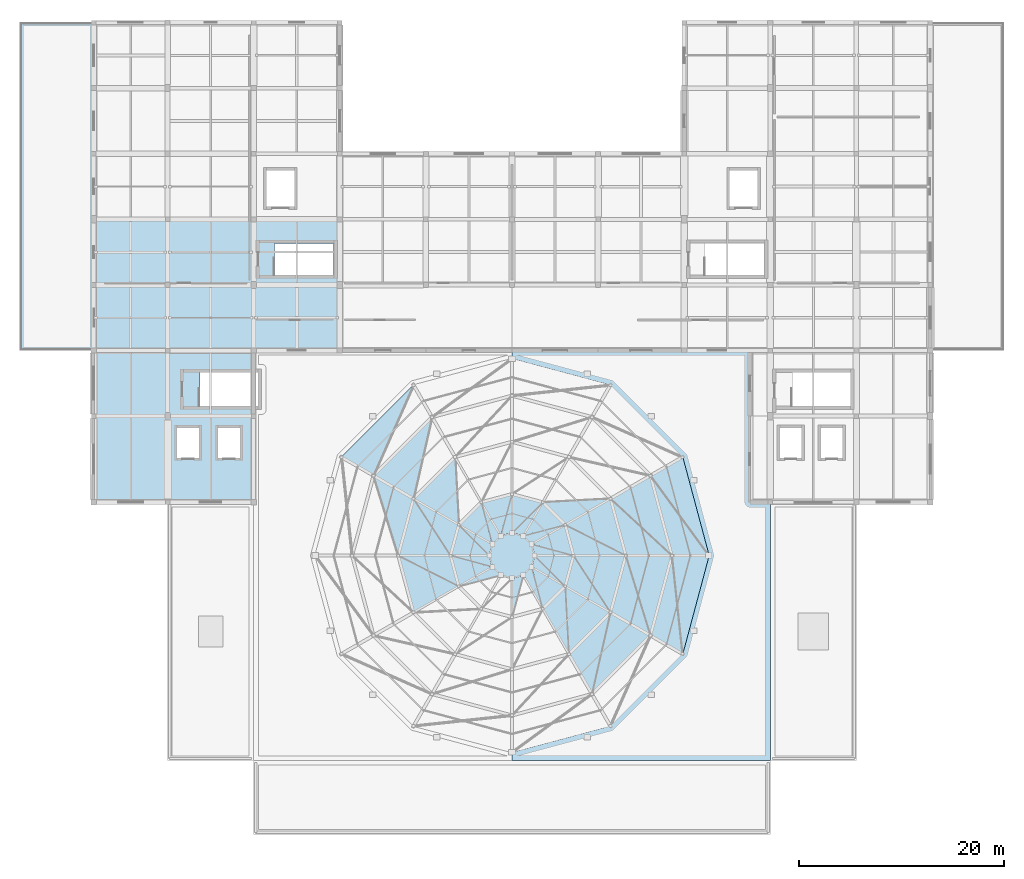
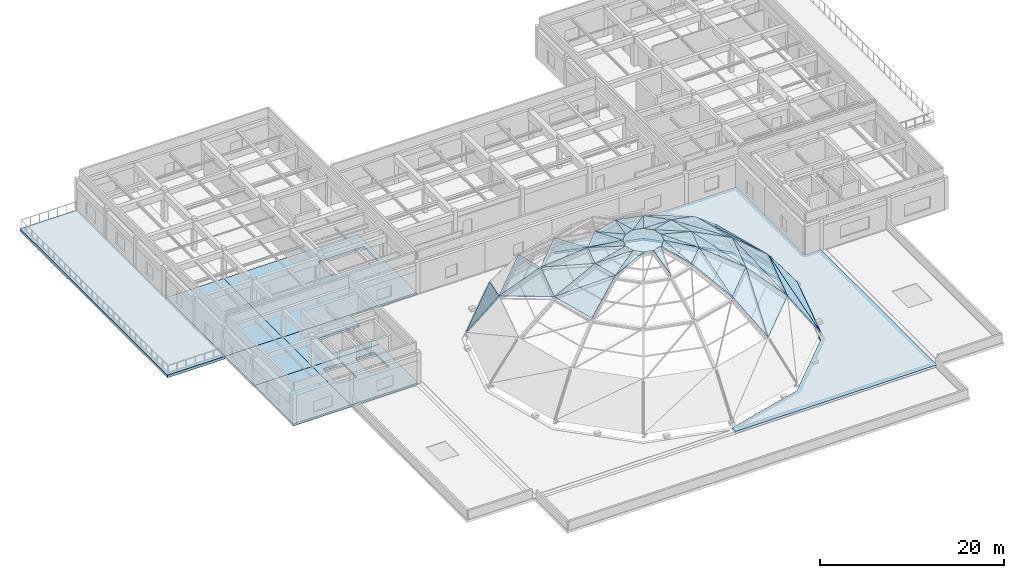
# One storey, part 9 of 18: 54 slabs.
"""IFC4 building model written with IfcOpenShell, lengths in metres."""

from ifc_helpers import new_model, si_unit, direction, frame, origin, place, context, subcontext, project, spatial, polyline, outline, extrude, material, layer, layer_set, type_object, element, save


model = new_model("IFC4")

# Units and contexts
model_context = context("Model", 3, precision=1e-05, world=origin(), true_north=direction((0.0, 1.0)))
body_context = subcontext(model_context, "Body", "Model", "MODEL_VIEW")
ifc_project = project(units=[si_unit("LENGTHUNIT", "METRE"), si_unit("AREAUNIT", "SQUARE_METRE"), si_unit("VOLUMEUNIT", "CUBIC_METRE"), si_unit("PLANEANGLEUNIT", "RADIAN"), si_unit("MASSUNIT", "GRAM", prefix="KILO")], contexts=[model_context])

# Site, building, storey
site_placement = place(None, origin())
site = spatial("IfcSite", under=ifc_project, at=site_placement, CompositionType="ELEMENT")
building_placement = place(site_placement, origin())
building = spatial("IfcBuilding", under=site, at=building_placement, Name="Korsvaeld Concert Hall", CompositionType="ELEMENT")
storey_placement = place(building_placement, frame((0.0, 0.0, 17.39990234375)))
storey = spatial("IfcBuildingStorey", under=building, at=storey_placement, Name="L04", CompositionType="ELEMENT", Elevation=17.39990234375)

# Slabs
ifc_material_1 = material(Name="Precast concrete C40/50", Category="concrete")
ifc_layer_1 = layer(ifc_material_1, 0.159912109375)
ifc_layer_set_1 = layer_set([ifc_layer_1], Name="Precast concrete C40/50")
slab_type_1 = type_object("IfcSlabType", Name="SLB-DOME-160", PredefinedType="ROOF", material=ifc_layer_set_1)
slab_1_placement = place(storey_placement, frame((103.239990234375, 63.199951171875, 0.989990234375), z_axis=(0.785013471656, 0.210338347217, 0.582676264325), x_axis=(-0.258812870324, 0.965927480795, 0.0)))
element("IfcSlab", 1, at=slab_1_placement, inside=storey, type_object=slab_type_1, Name="Main Hall dome copper roof facet T1.B01A", PredefinedType="ROOF", context=body_context, shape_type="SweptSolid", body=[
    extrude(outline(polyline([(0.0, 0.0), (9.959461117705175, 0.0), (9.02763910553035, 5.96784995399643), (0.0, 0.0)])), origin(), (0.0, 0.0, -1.0), 0.159912109375),
])
slab_2_placement = place(storey_placement, frame((103.239990234375, 63.199951171875, 0.989990234375), z_axis=(0.785007002959, 0.210325312959, 0.582689684166), x_axis=(-0.526276620104, 0.722615158546, 0.448174354209)))
element("IfcSlab", 2, at=slab_2_placement, inside=storey, type_object=slab_type_1, Name="Main Hall dome copper roof facet T1.B01B", PredefinedType="ROOF", context=body_context, shape_type="SweptSolid", body=[
    extrude(outline(polyline([(0.0, 0.0), (10.821899135231119, 1.3322676295501878e-15), (4.068336611518678, 4.464615059002871), (0.0, 0.0)])), origin(), (0.0, 0.0, -1.0), 0.159912109375),
])
slab_3_placement = place(storey_placement, frame((99.639892578125, 63.199951171875, 5.840087890625), z_axis=(0.635752447803, 0.170335846744, 0.752864213804), x_axis=(-0.25879989614, 0.965930957035, 0.0)))
element("IfcSlab", 3, at=slab_3_placement, inside=storey, type_object=slab_type_1, Name="Main Hall dome copper roof facet T2.B01A", PredefinedType="ROOF", context=body_context, shape_type="SweptSolid", body=[
    extrude(outline(polyline([(0.0, 0.0), (8.095887498401169, -2.220446049250313e-16), (6.931142147340937, 5.773607028986506), (0.0, 0.0)])), origin(), (0.0, 0.0, -1.0), 0.159912109375),
])
slab_4_placement = place(storey_placement, frame((99.639892578125, 63.199951171875, 5.840087890625), z_axis=(0.635756150019, 0.170343078898, 0.752859451149), x_axis=(-0.664288705232, 0.617467786101, 0.421252951596)))
element("IfcSlab", 4, at=slab_4_placement, inside=storey, type_object=slab_type_1, Name="Main Hall dome copper roof facet T2.B01B", PredefinedType="ROOF", context=body_context, shape_type="SweptSolid", body=[
    extrude(outline(polyline([(0.0, 0.0), (9.020824219094857, -2.220446049250313e-16), (4.590080958600185, 3.690735413116225), (0.0, 0.0)])), origin(), (0.0, 0.0, -1.0), 0.159912109375),
])
slab_5_placement = place(storey_placement, frame((95.139892578125, 63.199951171875, 9.64013671875), z_axis=(0.450841185144, 0.120797377374, 0.884392570863), x_axis=(-0.258808742132, 0.965928586903, 0.0)))
element("IfcSlab", 5, at=slab_5_placement, inside=storey, type_object=slab_type_1, Name="Main Hall dome copper roof facet T3.B01A", PredefinedType="ROOF", context=body_context, shape_type="SweptSolid", body=[
    extrude(outline(polyline([(0.0, 0.0), (5.7665426149512795, -2.220446049250313e-16), (4.446470560192042, 5.57019392915069), (0.0, 0.0)])), origin(), (0.0, 0.0, -1.0), 0.159912109375),
])
slab_6_placement = place(storey_placement, frame((95.139892578125, 63.199951171875, 9.64013671875), z_axis=(0.450850270035, 0.120822040838, 0.884384570454), x_axis=(-0.829092911042, 0.423726628226, 0.364774847533)))
element("IfcSlab", 6, at=slab_6_placement, inside=storey, type_object=slab_type_1, Name="Main Hall dome copper roof facet T3.B01B", PredefinedType="ROOF", context=body_context, shape_type="SweptSolid", body=[
    extrude(outline(polyline([(0.0, 0.0), (7.127282851900979, -4.440892098500626e-16), (5.176613566925264, 2.4434435050284353), (0.0, 0.0)])), origin(), (0.0, 0.0, -1.0), 0.159912109375),
])
slab_7_placement = place(storey_placement, frame((90.0400390625, 63.199951171875, 12.239990234375), z_axis=(0.246846701013, 0.066151723028, 0.966794008949), x_axis=(-0.258853176608, 0.965916680133, 0.0)))
element("IfcSlab", 7, at=slab_7_placement, inside=storey, type_object=slab_type_1, Name="Main Hall dome copper roof facet T4.B01A", PredefinedType="ROOF", context=body_context, shape_type="SweptSolid", body=[
    extrude(outline(polyline([(0.0, 0.0), (3.1265838900648917, -1.1102230246251565e-16), (2.1432631778340707, 3.7964724545415964), (0.0, 0.0)])), origin(), (0.0, 0.0, -1.0), 0.159912109375),
])
slab_8_placement = place(storey_placement, frame((90.0400390625, 63.199951171875, 12.239990234375), z_axis=(0.246839384629, 0.066121535246, 0.966797942061), x_axis=(-0.940459126358, 0.256926668556, 0.22254284674)))
element("IfcSlab", 8, at=slab_8_placement, inside=storey, type_object=slab_type_1, Name="Main Hall dome copper roof facet T4.B01B", PredefinedType="ROOF", context=body_context, shape_type="SweptSolid", body=[
    extrude(outline(polyline([(0.0, 0.0), (4.359676610432533, -2.0816681711721685e-16), (3.7897049742927016, 1.0098634298696931), (0.0, 0.0)])), origin(), (0.0, 0.0, -1.0), 0.159912109375),
])
slab_9_placement = place(storey_placement, frame((93.6474609375, 68.77001953125, 9.64013671875), z_axis=(0.330050480012, 0.330014034509, 0.884396640468), x_axis=(-0.929877947245, -0.04757977119, 0.36477824579)))
element("IfcSlab", 9, at=slab_9_placement, inside=storey, type_object=slab_type_1, Name="Main Hall dome copper roof facet T3.B02B", PredefinedType="ROOF", context=body_context, shape_type="SweptSolid", body=[
    extrude(outline(polyline([(0.0, 0.0), (7.127216454468558, 0.0), (5.1767373518307265, 2.44357136754057), (0.0, 0.0)])), origin(), (0.0, 0.0, -1.0), 0.159912109375),
])
slab_10_placement = place(storey_placement, frame((89.230712890625, 66.219970703125, 12.239990234375), z_axis=(0.180712694845, 0.180692739821, 0.966795250142), x_axis=(-0.707067737163, 0.707145823054, 0.0)))
element("IfcSlab", 10, at=slab_10_placement, inside=storey, type_object=slab_type_1, Name="Main Hall dome copper roof facet T4.B02A", PredefinedType="ROOF", context=body_context, shape_type="SweptSolid", body=[
    extrude(outline(polyline([(0.0, 0.0), (3.126565169333749, -2.220446049250313e-16), (2.1426968675369826, 3.7965422120046646), (0.0, 0.0)])), origin(), (0.0, 0.0, -1.0), 0.159912109375),
])
slab_11_placement = place(storey_placement, frame((89.230712890625, 66.219970703125, 12.239990234375), z_axis=(0.180708162164, 0.180708162164, 0.966793214837), x_axis=(-0.942914182277, -0.247755083589, 0.22255395619)))
element("IfcSlab", 11, at=slab_11_placement, inside=storey, type_object=slab_type_1, Name="Main Hall dome copper roof facet T4.B02B", PredefinedType="ROOF", context=body_context, shape_type="SweptSolid", body=[
    extrude(outline(polyline([(0.0, 0.0), (4.359458984058236, 1.3877787807814457e-17), (3.7895507190694353, 1.009667305995173), (0.0, 0.0)])), origin(), (0.0, 0.0, -1.0), 0.159912109375),
])
slab_12_placement = place(storey_placement, frame((87.02001953125, 68.430908203125, 12.239990234375), z_axis=(0.066129771478, 0.246839249603, 0.966797413205), x_axis=(-0.965936201526, 0.258780321088, 0.0)))
element("IfcSlab", 12, at=slab_12_placement, inside=storey, type_object=slab_type_1, Name="Main Hall dome copper roof facet T4.B03A", PredefinedType="ROOF", context=body_context, shape_type="SweptSolid", body=[
    extrude(outline(polyline([(0.0, 0.0), (3.126520702381978, -2.220446049250313e-16), (2.143142846490548, 3.796663789659206), (0.0, 0.0)])), origin(), (0.0, 0.0, -1.0), 0.159912109375),
])
slab_13_placement = place(storey_placement, frame((87.02001953125, 68.430908203125, 12.239990234375), z_axis=(0.066123181371, 0.246845529805, 0.966796260492), x_axis=(-0.692699335192, -0.686035533988, 0.222537361201)))
element("IfcSlab", 13, at=slab_13_placement, inside=storey, type_object=slab_type_1, Name="Main Hall dome copper roof facet T4.B03B", PredefinedType="ROOF", context=body_context, shape_type="SweptSolid", body=[
    extrude(outline(polyline([(0.0, 0.0), (4.359784076324538, 1.249000902703301e-16), (3.789723803231628, 1.0098133976301429), (0.0, 0.0)])), origin(), (0.0, 0.0, -1.0), 0.159912109375),
])
slab_14_placement = place(storey_placement, frame((84.0, 69.239990234375, 12.239990234375), z_axis=(-0.066130382088, 0.246841528794, 0.966796789521), x_axis=(-0.965936201526, -0.258780321088, 0.0)))
element("IfcSlab", 14, at=slab_14_placement, inside=storey, type_object=slab_type_1, Name="Main Hall dome copper roof facet T4.B04A", PredefinedType="ROOF", context=body_context, shape_type="SweptSolid", body=[
    extrude(outline(polyline([(0.0, 0.0), (3.126520702381978, 1.1102230246251565e-16), (2.1429863293329188, 3.7966287334745705), (0.0, 0.0)])), origin(), (0.0, 0.0, -1.0), 0.159912109375),
])
slab_15_placement = place(storey_placement, frame((84.0, 69.239990234375, 12.239990234375), z_axis=(-0.066121535246, 0.246839384629, 0.966797942061), x_axis=(-0.256926668556, -0.940459126358, 0.22254284674)))
element("IfcSlab", 15, at=slab_15_placement, inside=storey, type_object=slab_type_1, Name="Main Hall dome copper roof facet T4.B04B", PredefinedType="ROOF", context=body_context, shape_type="SweptSolid", body=[
    extrude(outline(polyline([(0.0, 0.0), (4.359676610432533, -2.0816681711721685e-16), (3.7897049742927016, 1.0098634298696931), (0.0, 0.0)])), origin(), (0.0, 0.0, -1.0), 0.159912109375),
])
slab_16_placement = place(storey_placement, frame((74.3798828125, 79.8623046875, 0.989990234375), z_axis=(-0.574666971576, 0.574666971576, 0.58267979505), x_axis=(-0.707106781187, -0.707106781187, 0.0)))
element("IfcSlab", 16, at=slab_16_placement, inside=storey, type_object=slab_type_1, Name="Main Hall dome copper roof facet T1.B05A", PredefinedType="ROOF", context=body_context, shape_type="SweptSolid", body=[
    extrude(outline(polyline([(0.0, 0.0), (9.95922612467088, 0.0), (9.027523171042024, 5.96786854261955), (0.0, 0.0)])), origin(), (0.0, 0.0, -1.0), 0.159912109375),
])
slab_17_placement = place(storey_placement, frame((76.179931640625, 76.74462890625, 5.840087890625), z_axis=(-0.465400829153, 0.465400829153, 0.752863956135), x_axis=(-0.707106781187, -0.707106781187, 0.0)))
element("IfcSlab", 17, at=slab_17_placement, inside=storey, type_object=slab_type_1, Name="Main Hall dome copper roof facet T2.B05A", PredefinedType="ROOF", context=body_context, shape_type="SweptSolid", body=[
    extrude(outline(polyline([(0.0, 0.0), (8.095820217413168, 0.0), (6.931062050258471, 5.773604443501931), (0.0, 0.0)])), origin(), (0.0, 0.0, -1.0), 0.159912109375),
])
slab_18_placement = place(storey_placement, frame((78.429931640625, 72.847412109375, 9.64013671875), z_axis=(-0.330036076349, 0.330036076349, 0.884393790467), x_axis=(-0.707106781187, -0.707106781187, 0.0)))
element("IfcSlab", 18, at=slab_18_placement, inside=storey, type_object=slab_type_1, Name="Main Hall dome copper roof facet T3.B05A", PredefinedType="ROOF", context=body_context, shape_type="SweptSolid", body=[
    extrude(outline(polyline([(0.0, 0.0), (5.766303883103775, 0.0), (4.446348207090019, 5.570221508294132), (0.0, 0.0)])), origin(), (0.0, 0.0, -1.0), 0.159912109375),
])
slab_19_placement = place(storey_placement, frame((80.97998046875, 68.430908203125, 12.239990234375), z_axis=(-0.18071564086, 0.180695685511, 0.96679414892), x_axis=(-0.707067737163, -0.707145823054, 0.0)))
element("IfcSlab", 19, at=slab_19_placement, inside=storey, type_object=slab_type_1, Name="Main Hall dome copper roof facet T4.B05A", PredefinedType="ROOF", context=body_context, shape_type="SweptSolid", body=[
    extrude(outline(polyline([(0.0, 0.0), (3.126565169333749, 0.0), (2.1432748289476002, 3.7964803209945024), (0.0, 0.0)])), origin(), (0.0, 0.0, -1.0), 0.159912109375),
])
slab_20_placement = place(storey_placement, frame((80.97998046875, 68.430908203125, 12.239990234375), z_axis=(-0.180700218098, 0.180700218098, 0.966796184497), x_axis=(0.247742001392, -0.942920393183, 0.222542204686)))
element("IfcSlab", 20, at=slab_20_placement, inside=storey, type_object=slab_type_1, Name="Main Hall dome copper roof facet T4.B05B", PredefinedType="ROOF", context=body_context, shape_type="SweptSolid", body=[
    extrude(outline(polyline([(0.0, 0.0), (4.3596891884742055, -5.551115123125783e-17), (3.7897651065326645, 1.0096583779284887), (0.0, 0.0)])), origin(), (0.0, 0.0, -1.0), 0.159912109375),
])
slab_21_placement = place(storey_placement, frame((70.455322265625, 71.02001953125, 5.840087890625), z_axis=(-0.635750003578, 0.170341432035, 0.752865014118), x_axis=(0.266578974807, -0.866882349445, 0.421248907905)))
element("IfcSlab", 21, at=slab_21_placement, inside=storey, type_object=slab_type_1, Name="Main Hall dome copper roof facet T2.B06B", PredefinedType="ROOF", context=body_context, shape_type="SweptSolid", body=[
    extrude(outline(polyline([(0.0, 0.0), (9.020910812614908, -2.220446049250313e-16), (4.590167763396638, 3.690735666754412), (0.0, 0.0)])), origin(), (0.0, 0.0, -1.0), 0.159912109375),
])
slab_22_placement = place(storey_placement, frame((74.3525390625, 68.77001953125, 9.64013671875), z_axis=(-0.450851480816, 0.120800135973, 0.884386945513), x_axis=(-0.258808742132, -0.965928586903, 0.0)))
element("IfcSlab", 22, at=slab_22_placement, inside=storey, type_object=slab_type_1, Name="Main Hall dome copper roof facet T3.B06A", PredefinedType="ROOF", context=body_context, shape_type="SweptSolid", body=[
    extrude(outline(polyline([(0.0, 0.0), (5.7665426149512795, 0.0), (4.446655941515901, 5.5700667278613505), (0.0, 0.0)])), origin(), (0.0, 0.0, -1.0), 0.159912109375),
])
slab_23_placement = place(storey_placement, frame((74.3525390625, 68.77001953125, 9.64013671875), z_axis=(-0.450831281356, 0.120816952118, 0.884394945617), x_axis=(0.506141502694, -0.781511801839, 0.36477401612)))
element("IfcSlab", 23, at=slab_23_placement, inside=storey, type_object=slab_type_1, Name="Main Hall dome copper roof facet T3.B06B", PredefinedType="ROOF", context=body_context, shape_type="SweptSolid", body=[
    extrude(outline(polyline([(0.0, 0.0), (7.127299096786012, 1.1102230246251565e-16), (5.176751756132481, 2.443540851609147), (0.0, 0.0)])), origin(), (0.0, 0.0, -1.0), 0.159912109375),
])
slab_24_placement = place(storey_placement, frame((78.769287109375, 66.219970703125, 12.239990234375), z_axis=(-0.246838923826, 0.066149638843, 0.966796137231), x_axis=(-0.258853176608, -0.965916680133, 0.0)))
element("IfcSlab", 24, at=slab_24_placement, inside=storey, type_object=slab_type_1, Name="Main Hall dome copper roof facet T4.B06A", PredefinedType="ROOF", context=body_context, shape_type="SweptSolid", body=[
    extrude(outline(polyline([(0.0, 0.0), (3.1265838900648917, 0.0), (2.142929179638857, 3.7965920705052976), (0.0, 0.0)])), origin(), (0.0, 0.0, -1.0), 0.159912109375),
])
slab_25_placement = place(storey_placement, frame((78.769287109375, 66.219970703125, 12.239990234375), z_axis=(-0.246860354398, 0.066127152475, 0.966792203698), x_axis=(0.686005889271, -0.692725946961, 0.222545910527)))
element("IfcSlab", 25, at=slab_25_placement, inside=storey, type_object=slab_type_1, Name="Main Hall dome copper roof facet T4.B06B", PredefinedType="ROOF", context=body_context, shape_type="SweptSolid", body=[
    extrude(outline(polyline([(0.0, 0.0), (4.359616590799169, -2.636779683484747e-16), (3.7895176145429756, 1.00979154792647), (0.0, 0.0)])), origin(), (0.0, 0.0, -1.0), 0.159912109375),
])
slab_26_placement = place(storey_placement, frame((72.860107421875, 63.199951171875, 9.64013671875), z_axis=(-0.450841185144, -0.120797377374, 0.884392570863), x_axis=(0.258808742132, -0.965928586903, 0.0)))
element("IfcSlab", 26, at=slab_26_placement, inside=storey, type_object=slab_type_1, Name="Main Hall dome copper roof facet T3.B07A", PredefinedType="ROOF", context=body_context, shape_type="SweptSolid", body=[
    extrude(outline(polyline([(0.0, 0.0), (5.7665426149512795, -2.220446049250313e-16), (4.446470560192042, 5.57019392915069), (0.0, 0.0)])), origin(), (0.0, 0.0, -1.0), 0.159912109375),
])
slab_27_placement = place(storey_placement, frame((72.860107421875, 63.199951171875, 9.64013671875), z_axis=(-0.450850270035, -0.120822040838, 0.884384570454), x_axis=(0.829092911042, -0.423726628226, 0.364774847533)))
element("IfcSlab", 27, at=slab_27_placement, inside=storey, type_object=slab_type_1, Name="Main Hall dome copper roof facet T3.B07B", PredefinedType="ROOF", context=body_context, shape_type="SweptSolid", body=[
    extrude(outline(polyline([(0.0, 0.0), (7.127282851900979, -4.440892098500626e-16), (5.176613566925264, 2.4434435050284353), (0.0, 0.0)])), origin(), (0.0, 0.0, -1.0), 0.159912109375),
])
slab_28_placement = place(storey_placement, frame((77.9599609375, 63.199951171875, 12.239990234375), z_axis=(-0.246842728477, -0.06615065844, 0.96679509607), x_axis=(0.258853176608, -0.965916680133, 0.0)))
element("IfcSlab", 28, at=slab_28_placement, inside=storey, type_object=slab_type_1, Name="Main Hall dome copper roof facet T4.B07A", PredefinedType="ROOF", context=body_context, shape_type="SweptSolid", body=[
    extrude(outline(polyline([(0.0, 0.0), (3.1265838900648917, 0.0), (2.143027358332085, 3.79653355264732), (0.0, 0.0)])), origin(), (0.0, 0.0, -1.0), 0.159912109375),
])
slab_29_placement = place(storey_placement, frame((77.9599609375, 63.199951171875, 12.239990234375), z_axis=(-0.246839149331, -0.066135887187, 0.966797020467), x_axis=(0.940472656331, -0.256874364332, 0.222546048366)))
element("IfcSlab", 29, at=slab_29_placement, inside=storey, type_object=slab_type_1, Name="Main Hall dome copper roof facet T4.B07B", PredefinedType="ROOF", context=body_context, shape_type="SweptSolid", body=[
    extrude(outline(polyline([(0.0, 0.0), (4.359613890579839, -6.938893903907228e-17), (3.7897594951158076, 1.0096588078883904), (0.0, 0.0)])), origin(), (0.0, 0.0, -1.0), 0.159912109375),
])
slab_30_placement = place(storey_placement, frame((78.769287109375, 60.179931640625, 12.239990234375), z_axis=(-0.180720382866, -0.180666581026, 0.966798701756), x_axis=(0.942914182277, 0.247755083589, 0.22255395619)))
element("IfcSlab", 30, at=slab_30_placement, inside=storey, type_object=slab_type_1, Name="Main Hall dome copper roof facet T4.B08B", PredefinedType="ROOF", context=body_context, shape_type="SweptSolid", body=[
    extrude(outline(polyline([(0.0, 0.0), (4.359458984058236, 2.7755575615628914e-17), (3.78961120615039, 1.009899684973979), (0.0, 0.0)])), origin(), (0.0, 0.0, -1.0), 0.159912109375),
])
slab_31_placement = place(storey_placement, frame((84.0, 57.159912109375, 12.239990234375), z_axis=(0.066121535246, -0.246839384629, 0.966797942061), x_axis=(0.256926668556, 0.940459126358, 0.22254284674)))
element("IfcSlab", 31, at=slab_31_placement, inside=storey, type_object=slab_type_1, Name="Main Hall dome copper roof facet T4.B10B", PredefinedType="ROOF", context=body_context, shape_type="SweptSolid", body=[
    extrude(outline(polyline([(0.0, 0.0), (4.359676610432533, -2.0816681711721685e-16), (3.7897049742927016, 1.0098634298696931), (0.0, 0.0)])), origin(), (0.0, 0.0, -1.0), 0.159912109375),
])
slab_32_placement = place(storey_placement, frame((91.820068359375, 49.655517578125, 5.840087890625), z_axis=(0.465392412083, -0.46541226078, 0.752862092479), x_axis=(0.707121859537, 0.707091702515, 0.0)))
element("IfcSlab", 32, at=slab_32_placement, inside=storey, type_object=slab_type_1, Name="Main Hall dome copper roof facet T2.B11A", PredefinedType="ROOF", context=body_context, shape_type="SweptSolid", body=[
    extrude(outline(polyline([(0.0, 0.0), (8.095647585762306, 0.0), (6.930796727995332, 5.77358574346466), (0.0, 0.0)])), origin(), (0.0, 0.0, -1.0), 0.159912109375),
])
slab_33_placement = place(storey_placement, frame((91.820068359375, 49.655517578125, 5.840087890625), z_axis=(0.465411305931, -0.465411305931, 0.752851002937), x_axis=(0.202581167606, 0.884022535407, 0.421265981802)))
element("IfcSlab", 33, at=slab_33_placement, inside=storey, type_object=slab_type_1, Name="Main Hall dome copper roof facet T2.B11B", PredefinedType="ROOF", context=body_context, shape_type="SweptSolid", body=[
    extrude(outline(polyline([(0.0, 0.0), (9.020545195381994, 0.0), (4.590035321352832, 3.6906425901769158), (0.0, 0.0)])), origin(), (0.0, 0.0, -1.0), 0.159912109375),
])
slab_34_placement = place(storey_placement, frame((89.570068359375, 53.552490234375, 9.64013671875), z_axis=(0.330036076349, -0.330036076349, 0.884393790467), x_axis=(0.707106781187, 0.707106781187, 0.0)))
element("IfcSlab", 34, at=slab_34_placement, inside=storey, type_object=slab_type_1, Name="Main Hall dome copper roof facet T3.B11A", PredefinedType="ROOF", context=body_context, shape_type="SweptSolid", body=[
    extrude(outline(polyline([(0.0, 0.0), (5.766303883103775, 0.0), (4.446348207090019, 5.570221508294132), (0.0, 0.0)])), origin(), (0.0, 0.0, -1.0), 0.159912109375),
])
slab_35_placement = place(storey_placement, frame((89.570068359375, 53.552490234375, 9.64013671875), z_axis=(0.330036076349, -0.330036076349, 0.884393790467), x_axis=(-0.047613948254, 0.929876431159, 0.36477765105)))
element("IfcSlab", 35, at=slab_35_placement, inside=storey, type_object=slab_type_1, Name="Main Hall dome copper roof facet T3.B11B", PredefinedType="ROOF", context=body_context, shape_type="SweptSolid", body=[
    extrude(outline(polyline([(0.0, 0.0), (7.127228074795642, 0.0), (5.1768162626116805, 2.4434041870437078), (0.0, 0.0)])), origin(), (0.0, 0.0, -1.0), 0.159912109375),
])
slab_36_placement = place(storey_placement, frame((87.02001953125, 57.96923828125, 12.239990234375), z_axis=(0.180700218098, -0.180700218098, 0.966796184497), x_axis=(0.707106781187, 0.707106781187, 0.0)))
element("IfcSlab", 36, at=slab_36_placement, inside=storey, type_object=slab_type_1, Name="Main Hall dome copper roof facet T4.B11A", PredefinedType="ROOF", context=body_context, shape_type="SweptSolid", body=[
    extrude(outline(polyline([(0.0, 0.0), (3.126392531076264, 0.0), (2.143072163488721, 3.796594727144135), (0.0, 0.0)])), origin(), (0.0, 0.0, -1.0), 0.159912109375),
])
slab_37_placement = place(storey_placement, frame((87.02001953125, 57.96923828125, 12.239990234375), z_axis=(0.180741804402, -0.180687996184, 0.966790695123), x_axis=(-0.247742001392, 0.942920393183, 0.222542204686)))
element("IfcSlab", 37, at=slab_37_placement, inside=storey, type_object=slab_type_1, Name="Main Hall dome copper roof facet T4.B11B", PredefinedType="ROOF", context=body_context, shape_type="SweptSolid", body=[
    extrude(outline(polyline([(0.0, 0.0), (4.3596891884742055, 4.163336342344337e-17), (3.7895349013585475, 1.009726672214163), (0.0, 0.0)])), origin(), (0.0, 0.0, -1.0), 0.159912109375),
])
slab_38_placement = place(storey_placement, frame((100.662353515625, 53.580078125, 0.989990234375), z_axis=(0.785004255635, -0.210341215922, 0.5826876449), x_axis=(0.258818998687, 0.965925838726, 0.0)))
element("IfcSlab", 38, at=slab_38_placement, inside=storey, type_object=slab_type_1, Name="Main Hall dome copper roof facet T1.B12A", PredefinedType="ROOF", context=body_context, shape_type="SweptSolid", body=[
    extrude(outline(polyline([(0.0, 0.0), (9.959225295766753, 0.0), (9.027451625200204, 5.967909871683505), (0.0, 0.0)])), origin(), (0.0, 0.0, -1.0), 0.159912109375),
])
slab_39_placement = place(storey_placement, frame((100.662353515625, 53.580078125, 0.989990234375), z_axis=(0.785022098892, -0.210329357581, 0.582667886184), x_axis=(-0.094481807614, 0.888936644079, 0.448179462764)))
element("IfcSlab", 39, at=slab_39_placement, inside=storey, type_object=slab_type_1, Name="Main Hall dome copper roof facet T1.B12B", PredefinedType="ROOF", context=body_context, shape_type="SweptSolid", body=[
    extrude(outline(polyline([(0.0, 0.0), (10.82177578227655, 0.0), (4.068190144200046, 4.464580094021735), (0.0, 0.0)])), origin(), (0.0, 0.0, -1.0), 0.159912109375),
])
slab_40_placement = place(storey_placement, frame((97.544677734375, 55.3798828125, 5.840087890625), z_axis=(0.635756825803, -0.170337019732, 0.75286025141), x_axis=(0.25879989614, 0.965930957035, 0.0)))
element("IfcSlab", 40, at=slab_40_placement, inside=storey, type_object=slab_type_1, Name="Main Hall dome copper roof facet T2.B12A", PredefinedType="ROOF", context=body_context, shape_type="SweptSolid", body=[
    extrude(outline(polyline([(0.0, 0.0), (8.095887498401169, 0.0), (6.931287965769695, 5.773567270304275), (0.0, 0.0)])), origin(), (0.0, 0.0, -1.0), 0.159912109375),
])
slab_41_placement = place(storey_placement, frame((97.544677734375, 55.3798828125, 5.840087890625), z_axis=(0.635750003578, -0.170341432035, 0.752865014118), x_axis=(-0.266578974807, 0.866882349445, 0.421248907905)))
element("IfcSlab", 41, at=slab_41_placement, inside=storey, type_object=slab_type_1, Name="Main Hall dome copper roof facet T2.B12B", PredefinedType="ROOF", context=body_context, shape_type="SweptSolid", body=[
    extrude(outline(polyline([(0.0, 0.0), (9.020910812614908, -2.220446049250313e-16), (4.590167763396638, 3.690735666754412), (0.0, 0.0)])), origin(), (0.0, 0.0, -1.0), 0.159912109375),
])
slab_42_placement = place(storey_placement, frame((93.6474609375, 57.6298828125, 9.64013671875), z_axis=(0.450851480816, -0.120800135973, 0.884386945513), x_axis=(0.258808742132, 0.965928586903, 0.0)))
element("IfcSlab", 42, at=slab_42_placement, inside=storey, type_object=slab_type_1, Name="Main Hall dome copper roof facet T3.B12A", PredefinedType="ROOF", context=body_context, shape_type="SweptSolid", body=[
    extrude(outline(polyline([(0.0, 0.0), (5.7665426149512795, 0.0), (4.446655941515901, 5.5700667278613505), (0.0, 0.0)])), origin(), (0.0, 0.0, -1.0), 0.159912109375),
])
slab_43_placement = place(storey_placement, frame((93.6474609375, 57.6298828125, 9.64013671875), z_axis=(0.450831281356, -0.120816952118, 0.884394945617), x_axis=(-0.506141502694, 0.781511801839, 0.36477401612)))
element("IfcSlab", 43, at=slab_43_placement, inside=storey, type_object=slab_type_1, Name="Main Hall dome copper roof facet T3.B12B", PredefinedType="ROOF", context=body_context, shape_type="SweptSolid", body=[
    extrude(outline(polyline([(0.0, 0.0), (7.127299096786012, 1.1102230246251565e-16), (5.176751756132481, 2.443540851609147), (0.0, 0.0)])), origin(), (0.0, 0.0, -1.0), 0.159912109375),
])
slab_44_placement = place(storey_placement, frame((89.230712890625, 60.179931640625, 12.239990234375), z_axis=(0.246838923826, -0.066149638843, 0.966796137231), x_axis=(0.258853176608, 0.965916680133, 0.0)))
element("IfcSlab", 44, at=slab_44_placement, inside=storey, type_object=slab_type_1, Name="Main Hall dome copper roof facet T4.B12A", PredefinedType="ROOF", context=body_context, shape_type="SweptSolid", body=[
    extrude(outline(polyline([(0.0, 0.0), (3.1265838900648917, 0.0), (2.142929179638857, 3.7965920705052976), (0.0, 0.0)])), origin(), (0.0, 0.0, -1.0), 0.159912109375),
])
slab_45_placement = place(storey_placement, frame((89.230712890625, 60.179931640625, 12.239990234375), z_axis=(0.246849409817, -0.066138636291, 0.966794212675), x_axis=(-0.686005889271, 0.692725946961, 0.222545910527)))
element("IfcSlab", 45, at=slab_45_placement, inside=storey, type_object=slab_type_1, Name="Main Hall dome copper roof facet T4.B12B", PredefinedType="ROOF", context=body_context, shape_type="SweptSolid", body=[
    extrude(outline(polyline([(0.0, 0.0), (4.359616590799169, -3.3306690738754696e-16), (3.789686737088621, 1.009616215314391), (0.0, 0.0)])), origin(), (0.0, 0.0, -1.0), 0.159912109375),
])
ifc_material_2 = material(Name="Concrete C35/45", Category="concrete")
ifc_layer_2 = layer(ifc_material_2, 0.300048828125)
ifc_layer_set_2 = layer_set([ifc_layer_2], Name="Concrete C35/45")
slab_type_2 = type_object("IfcSlabType", Name="SLB-FLATROOF-300", PredefinedType="ROOF", material=ifc_layer_set_2)
slab_46_placement = place(storey_placement, frame((0.0, 0.0, -0.2998046875)))
element("IfcSlab", 46, at=slab_46_placement, inside=storey, type_object=slab_type_2, Name="Flat acoustic roof ROOF_L04_V1CE", PredefinedType="ROOF", context=body_context, shape_type="SweptSolid", body=[
    extrude(outline(polyline([(107.199951171875, 68.39990234375), (109.199951171875, 68.39990234375), (109.199951171875, 43.199951171875), (84.0, 43.199951171875), (84.0, 44.0), (93.60009765625, 46.572265625), (100.627685546875, 53.60009765625), (103.199951171875, 63.199951171875), (100.627685546875, 72.800048828125), (93.60009765625, 79.82763671875), (84.0, 82.39990234375), (84.0, 83.199951171875), (100.800048828125, 83.199951171875), (107.199951171875, 83.199951171875), (107.199951171875, 68.39990234375)])), origin(), (0.0, 0.0, 1.0), 0.2998046875),
])
ifc_layer_3 = layer(ifc_material_2, 0.280029296875)
ifc_layer_set_3 = layer_set([ifc_layer_3], Name="Concrete C35/45")
slab_type_3 = type_object("IfcSlabType", Name="SLB-FOY-280", PredefinedType="FLOOR", material=ifc_layer_set_3)
slab_47_placement = place(storey_placement, frame((0.0, 0.0, -0.27978515625)))
element("IfcSlab", 47, at=slab_47_placement, inside=storey, type_object=slab_type_3, Name="Structural slab L04 V1_K1_L04 1.1", PredefinedType="FLOOR", context=body_context, shape_type="SweptSolid", body=[
    extrude(outline(polyline([(43.199951171875, 68.39990234375), (43.199951171875, 76.800048828125), (50.39990234375, 76.800048828125), (50.39990234375, 68.39990234375), (43.199951171875, 68.39990234375)])), origin(), (0.0, 0.0, 1.0), 0.27978515625),
])
slab_48_placement = place(storey_placement, frame((0.0, 0.0, -0.27978515625)))
element("IfcSlab", 48, at=slab_48_placement, inside=storey, type_object=slab_type_3, Name="Structural slab L04 V1_K1_L04 1.2", PredefinedType="FLOOR", context=body_context, shape_type="SweptSolid", body=[
    extrude(outline(polyline([(43.199951171875, 76.800048828125), (43.199951171875, 83.199951171875), (50.39990234375, 83.199951171875), (50.39990234375, 76.800048828125), (43.199951171875, 76.800048828125)])), origin(), (0.0, 0.0, 1.0), 0.27978515625),
])
slab_49_placement = place(storey_placement, frame((0.0, 0.0, -0.27978515625)))
element("IfcSlab", 49, at=slab_49_placement, inside=storey, type_object=slab_type_3, Name="Structural slab L04 V1_K1_L04 2.1", PredefinedType="FLOOR", context=body_context, shape_type="SweptSolid", body=[
    extrude(outline(polyline([(50.39990234375, 68.39990234375), (50.39990234375, 76.800048828125), (58.800048828125, 76.800048828125), (58.800048828125, 68.39990234375), (50.39990234375, 68.39990234375)]), holes=[polyline([(51.199951171875, 75.800048828125), (51.199951171875, 72.60009765625), (53.60009765625, 72.60009765625), (53.60009765625, 75.800048828125), (51.199951171875, 75.800048828125)]), polyline([(55.199951171875, 75.800048828125), (55.199951171875, 72.60009765625), (57.60009765625, 72.60009765625), (57.60009765625, 75.800048828125), (55.199951171875, 75.800048828125)])]), origin(), (0.0, 0.0, 1.0), 0.27978515625),
])
slab_50_placement = place(storey_placement, frame((0.0, 0.0, -0.27978515625)))
element("IfcSlab", 50, at=slab_50_placement, inside=storey, type_object=slab_type_3, Name="Structural slab L04 V1_K1_L04 2.2", PredefinedType="FLOOR", context=body_context, shape_type="SweptSolid", body=[
    extrude(outline(polyline([(58.800048828125, 76.800048828125), (50.39990234375, 76.800048828125), (50.39990234375, 83.199951171875), (58.800048828125, 83.199951171875), (58.800048828125, 81.044921875), (53.544921875, 81.044921875), (53.544921875, 77.794921875), (58.800048828125, 77.794921875), (58.800048828125, 76.800048828125)])), origin(), (0.0, 0.0, 1.0), 0.27978515625),
])
ifc_layer_4 = layer(ifc_material_1, 0.25)
ifc_layer_set_4 = layer_set([ifc_layer_4], Name="Precast concrete C40/50")
slab_type_4 = type_object("IfcSlabType", Name="SLB-LANTERN-250", PredefinedType="USERDEFINED", material=ifc_layer_set_4)
slab_51_placement = place(storey_placement, frame((0.0, 0.0, 12.9501953125)))
element("IfcSlab", 51, at=slab_51_placement, inside=storey, type_object=slab_type_4, Name="Main Hall dome lantern oculus cap (+30.60 m)", ObjectType="OCULUS CAP", PredefinedType="USERDEFINED", context=body_context, shape_type="SweptSolid", body=[
    extrude(outline(polyline([(86.219970703125, 63.199951171875), (85.922607421875, 64.31005859375), (85.110107421875, 65.12255859375), (84.0, 65.419921875), (82.889892578125, 65.12255859375), (82.077392578125, 64.31005859375), (81.780029296875, 63.199951171875), (82.077392578125, 62.090087890625), (82.889892578125, 61.27734375), (84.0, 60.97998046875), (85.110107421875, 61.27734375), (85.922607421875, 62.090087890625), (86.219970703125, 63.199951171875)])), origin(), (0.0, 0.0, 1.0), 0.25),
])
ifc_layer_5 = layer(ifc_material_2, 0.360107421875)
ifc_layer_set_5 = layer_set([ifc_layer_5], Name="Concrete C35/45")
slab_type_5 = type_object("IfcSlabType", Name="SLB-TERR-360", PredefinedType="ROOF", material=ifc_layer_set_5)
slab_52_placement = place(storey_placement, frame((0.0, 0.0, -0.35986328125)))
element("IfcSlab", 52, at=slab_52_placement, inside=storey, type_object=slab_type_5, Name="Upper West Belvedere Terrace", PredefinedType="ROOF", context=body_context, shape_type="SweptSolid", body=[
    extrude(outline(polyline([(43.199951171875, 83.199951171875), (43.199951171875, 115.199951171875), (36.0, 115.199951171875), (36.0, 83.199951171875), (43.199951171875, 83.199951171875)])), origin(), (0.0, 0.0, 1.0), 0.35986328125),
])
ifc_layer_6 = layer(ifc_material_2, 0.25)
ifc_layer_set_6 = layer_set([ifc_layer_6], Name="Concrete C35/45")
slab_type_6 = type_object("IfcSlabType", Name="SLB-WING-250", PredefinedType="FLOOR", material=ifc_layer_set_6)
slab_53_placement = place(storey_placement, frame((0.0, 0.0, -0.25)))
element("IfcSlab", 53, at=slab_53_placement, inside=storey, type_object=slab_type_6, Name="Structural slab L04 V5_L04_W 1.1", PredefinedType="FLOOR", context=body_context, shape_type="SweptSolid", body=[
    extrude(outline(polyline([(43.199951171875, 83.199951171875), (43.199951171875, 96.0), (50.39990234375, 96.0), (50.39990234375, 83.199951171875), (43.199951171875, 83.199951171875)])), origin(), (0.0, 0.0, 1.0), 0.25),
])
slab_54_placement = place(storey_placement, frame((0.0, 0.0, -0.25)))
element("IfcSlab", 54, at=slab_54_placement, inside=storey, type_object=slab_type_6, Name="Structural slab L04 V5_L04_W 2.1", PredefinedType="FLOOR", context=body_context, shape_type="SweptSolid", body=[
    extrude(outline(polyline([(50.39990234375, 83.199951171875), (50.39990234375, 96.0), (67.199951171875, 96.0), (67.199951171875, 83.199951171875), (50.39990234375, 83.199951171875)]), holes=[polyline([(66.60498046875, 90.594970703125), (66.60498046875, 93.64501953125), (60.844970703125, 93.64501953125), (60.844970703125, 90.594970703125), (66.60498046875, 90.594970703125)])]), origin(), (0.0, 0.0, 1.0), 0.25),
])

save(model, "model.ifc")
